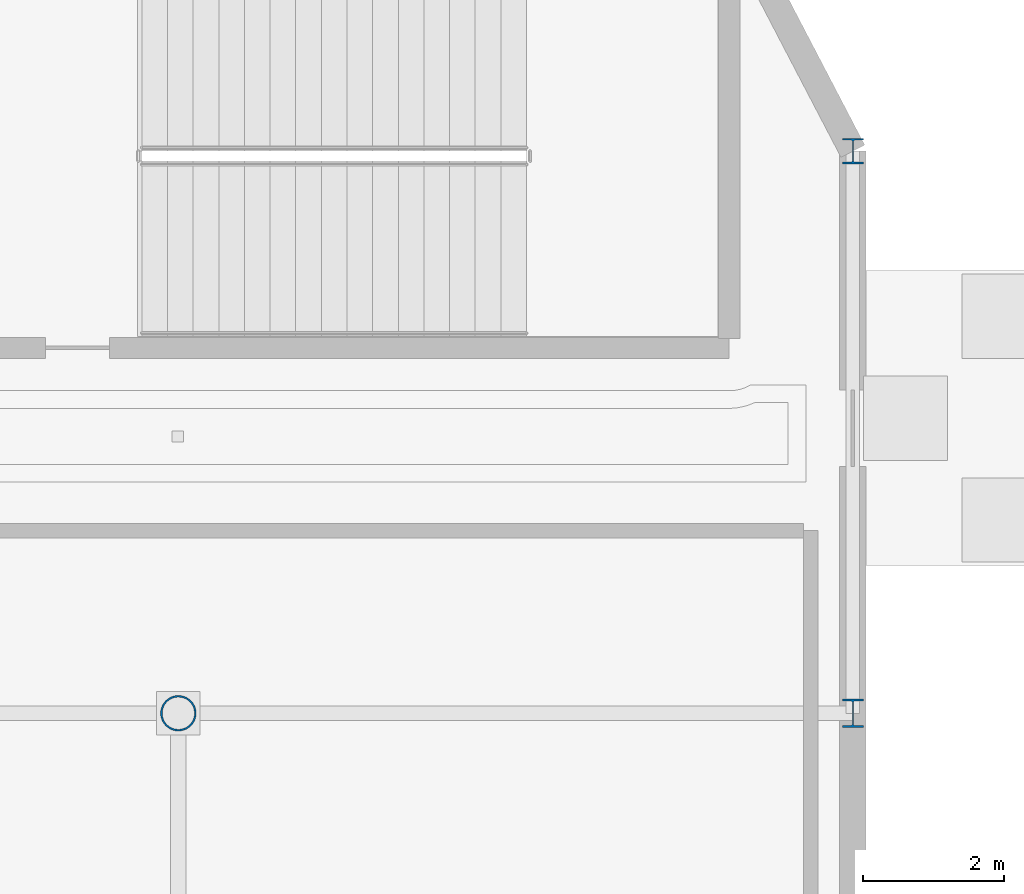
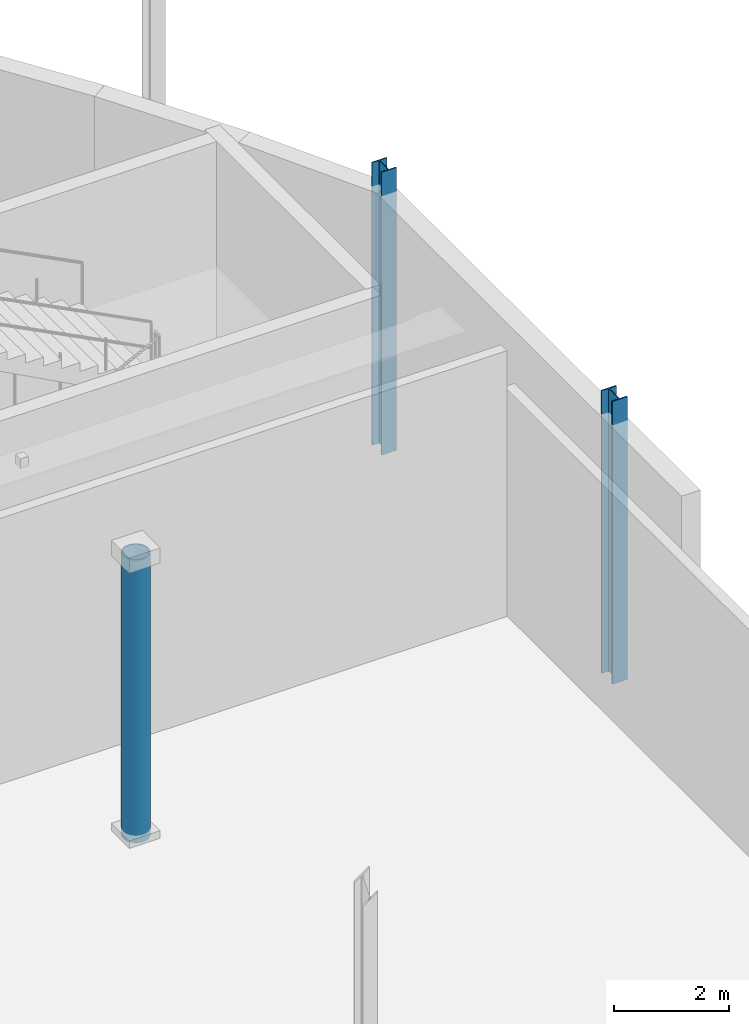
# One storey, part 28 of 124: 3 columns.
"""IFC4 building model written with IfcOpenShell, lengths in metres."""

from ifc_helpers import new_model, si_unit, direction, frame, origin, origin_2d, place, context, subcontext, project, spatial, hollow_circle, i_section, extrude, material, material_profile, profile_set, type_object, element, save


model = new_model("IFC4")

# Units and contexts
model_context = context("Model", 3, precision=1e-05, world=origin(), true_north=direction((0.0, 1.0)))
body_context = subcontext(model_context, "Body", "Model", "MODEL_VIEW")
ifc_project = project(units=[si_unit("LENGTHUNIT", "METRE"), si_unit("AREAUNIT", "SQUARE_METRE"), si_unit("VOLUMEUNIT", "CUBIC_METRE"), si_unit("PLANEANGLEUNIT", "RADIAN"), si_unit("MASSUNIT", "GRAM", prefix="KILO")], contexts=[model_context])

# Site, building, storey
site_placement = place(None, origin())
site = spatial("IfcSite", under=ifc_project, at=site_placement, CompositionType="ELEMENT")
building_placement = place(site_placement, origin())
building = spatial("IfcBuilding", under=site, at=building_placement, Name="Danafjord Basin Convention Centre", CompositionType="ELEMENT")
storey_placement = place(building_placement, origin())
storey = spatial("IfcBuildingStorey", under=building, at=storey_placement, Name="L00", CompositionType="ELEMENT", Elevation=0.0)

# Columns
ifc_material = material(Name="Steel S355", Category="steel")
ifc_material_profile_1 = material_profile(ifc_material, hollow_circle(Radius=0.25390625, WallThickness=0.02490234375, at=origin_2d()), Name="CHS 508.0x25.0")
ifc_profile_set_1 = profile_set([ifc_material_profile_1], Name="Steel S355")
column_type_1 = type_object("IfcColumnType", Name="COL-C-CHS508", PredefinedType="COLUMN", material=ifc_profile_set_1)
column_1_placement = place(storey_placement, frame((192.0, 112.0, 0.0), z_axis=(0.0, 0.0, 1.0), x_axis=(1.0, 0.0, 0.0)))
element("IfcColumn", 1, at=column_1_placement, inside=storey, type_object=column_type_1, Name="L00 column C-CHS508 at (192.0, 112.0)", PredefinedType="COLUMN", context=body_context, shape_type="SweptSolid", body=[
    extrude(hollow_circle(Radius=0.25390625, WallThickness=0.02490234375, at=origin_2d()), origin(), (0.0, 0.0, 1.0), 6.0),
])
ifc_material_profile_2 = material_profile(ifc_material, i_section(OverallWidth=0.300048828125, OverallDepth=0.360107421875, WebThickness=0.012451171875, FlangeThickness=0.0224609375, FilletRadius=0.027099609375, at=origin_2d()), Name="HEB 360")
ifc_profile_set_2 = profile_set([ifc_material_profile_2], Name="Steel S355")
column_type_2 = type_object("IfcColumnType", Name="COL-C-HEB360", PredefinedType="COLUMN", material=ifc_profile_set_2)
column_2_placement = place(storey_placement, frame((201.60009765625, 120.0, 0.0), z_axis=(0.0, 0.0, 1.0), x_axis=(1.0, 0.0, 0.0)))
element("IfcColumn", 2, at=column_2_placement, inside=storey, type_object=column_type_2, Name="L00 column C-HEB360 at (201.6, 120.0)", PredefinedType="COLUMN", context=body_context, shape_type="SweptSolid", body=[
    extrude(i_section(OverallWidth=0.300048828125, OverallDepth=0.360107421875, WebThickness=0.012451171875, FlangeThickness=0.0224609375, FilletRadius=0.027099609375, at=origin_2d()), origin(), (0.0, 0.0, 1.0), 6.0),
])
ifc_material_profile_3 = material_profile(ifc_material, i_section(OverallWidth=0.300048828125, OverallDepth=0.39990234375, WebThickness=0.013427734375, FlangeThickness=0.02392578125, FilletRadius=0.027099609375, at=origin_2d()), Name="HEB 400")
ifc_profile_set_3 = profile_set([ifc_material_profile_3], Name="Steel S355")
column_type_3 = type_object("IfcColumnType", Name="COL-C-HEB400", PredefinedType="COLUMN", material=ifc_profile_set_3)
column_3_placement = place(storey_placement, frame((201.60009765625, 112.0, 0.0), z_axis=(0.0, 0.0, 1.0), x_axis=(1.0, 0.0, 0.0)))
element("IfcColumn", 3, at=column_3_placement, inside=storey, type_object=column_type_3, Name="L00 column C-HEB400 at (201.6, 112.0)", PredefinedType="COLUMN", context=body_context, shape_type="SweptSolid", body=[
    extrude(i_section(OverallWidth=0.300048828125, OverallDepth=0.39990234375, WebThickness=0.013427734375, FlangeThickness=0.02392578125, FilletRadius=0.027099609375, at=origin_2d()), origin(), (0.0, 0.0, 1.0), 6.0),
])

save(model, "model.ifc")
